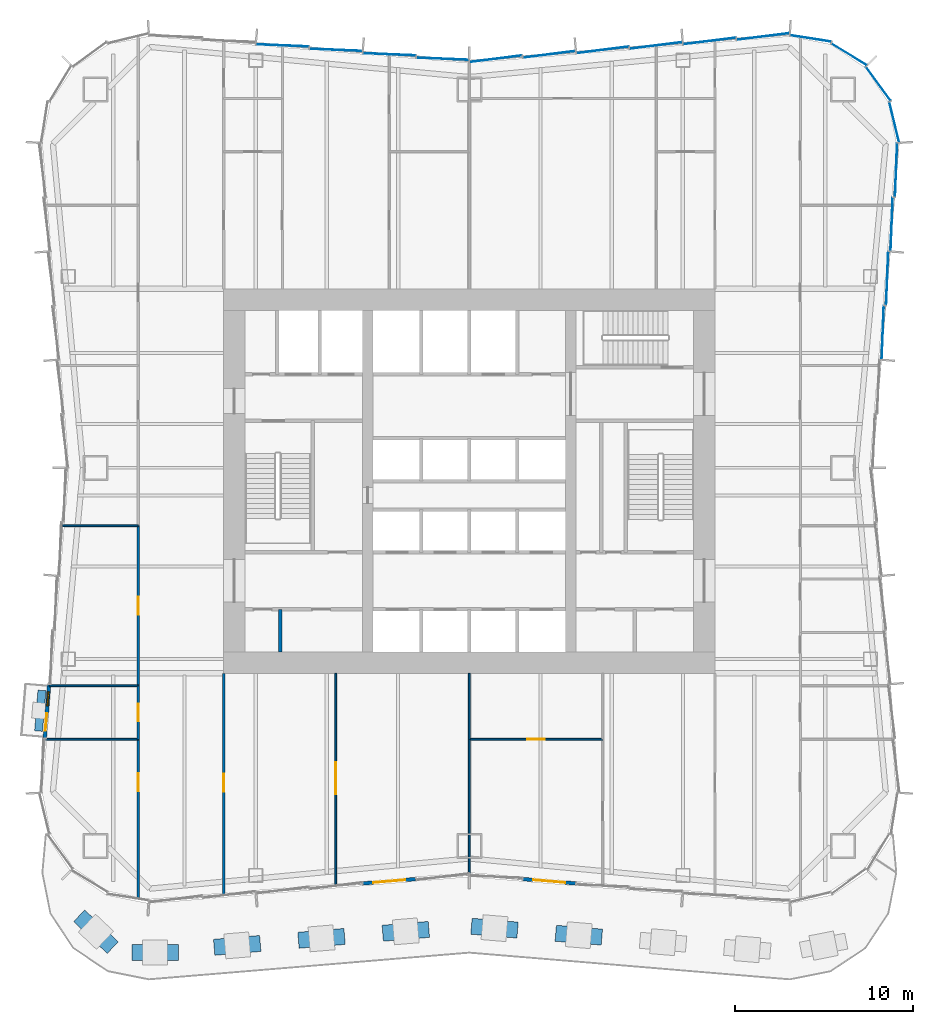
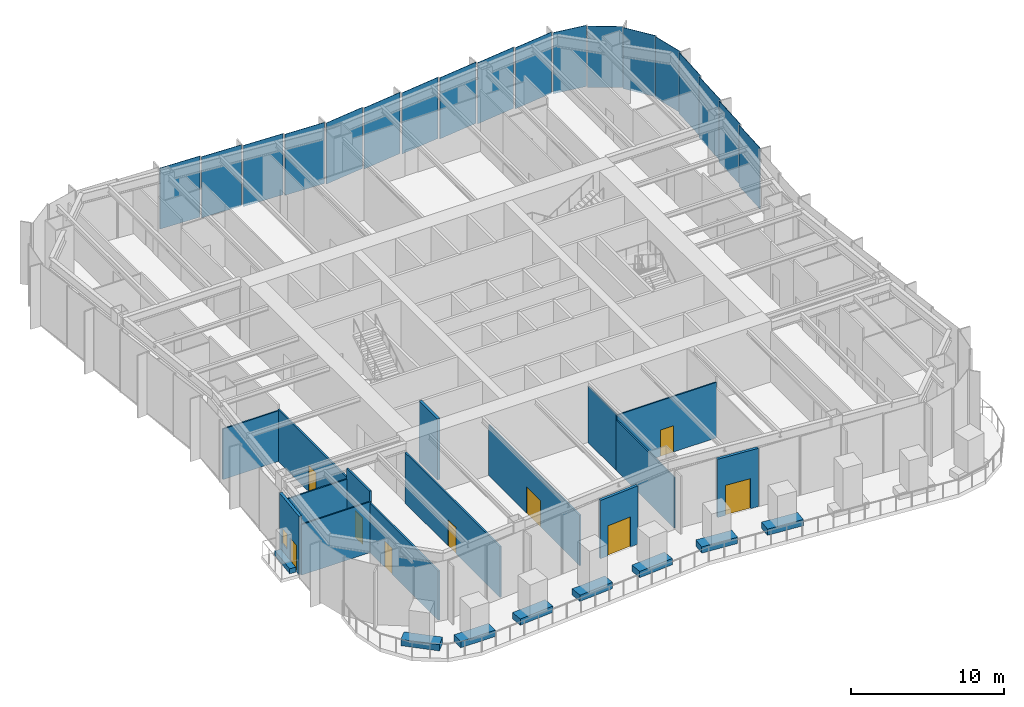
# One storey, part 8 of 15: 23 walls, 18 plates, 9 doors, 1 window, 10 openings, 3 elements without a shape of their own.
"""IFC4 building model written with IfcOpenShell, lengths in metres."""

from ifc_helpers import new_model, si_unit, direction, frame, frame_2d, origin, origin_2d, place, context, subcontext, project, spatial, rectangle, extrude, material, layer, layer_set, type_object, element, fill, aggregate, save


model = new_model("IFC4")

# Units and contexts
model_context = context("Model", 3, precision=1e-05, world=origin(), true_north=direction((0.0, 1.0)))
body_context = subcontext(model_context, "Body", "Model", "MODEL_VIEW")
ifc_project = project(units=[si_unit("LENGTHUNIT", "METRE"), si_unit("AREAUNIT", "SQUARE_METRE"), si_unit("VOLUMEUNIT", "CUBIC_METRE"), si_unit("PLANEANGLEUNIT", "RADIAN"), si_unit("MASSUNIT", "GRAM", prefix="KILO")], contexts=[model_context])

# Site, building, storey
site_placement = place(None, origin())
site = spatial("IfcSite", under=ifc_project, at=site_placement, CompositionType="ELEMENT")
building_placement = place(site_placement, origin())
building = spatial("IfcBuilding", under=site, at=building_placement, Name="Verdant Reach Tower", CompositionType="ELEMENT")
storey_placement = place(building_placement, frame((0.0, 0.0, 65.0)))
storey = spatial("IfcBuildingStorey", under=building, at=storey_placement, Name="L14", CompositionType="ELEMENT", Elevation=65.0)

# Curtain wall, plates
ifc_material_1 = material(Name="Anodised aluminium", Category="aluminium")
curtain_wall_type = type_object("IfcCurtainWallType", Name="EN-CW SYSTEM Z1", PredefinedType="NOTDEFINED", material=ifc_material_1)
curtain_wall_1_placement = place(storey_placement, origin())
curtain_wall_1 = element("IfcCurtainWall", 1, at=curtain_wall_1_placement, inside=storey, type_object=curtain_wall_type, Name="Curtain wall north, L14", PredefinedType="NOTDEFINED")
ifc_material_2 = material(Name="Tinted glass with champagne spandrel", Category="glass")
ifc_layer_1 = layer(ifc_material_2, 0.031982421875)
ifc_layer_set_1 = layer_set([ifc_layer_1], Name="EN-PANEL CHAMPAGNE")
plate_type_1 = type_object("IfcPlateType", Name="EN-PANEL CHAMPAGNE", PredefinedType="CURTAIN_PANEL", material=ifc_layer_set_1)
plate_1_placement = place(storey_placement, frame((7.491455078125, 52.2275390625, -0.22802734375), z_axis=(0.0, 0.0, 1.0), x_axis=(-0.992194034542, -0.124703639961, 0.0)))
plate_1 = element("IfcPlate", 2, at=plate_1_placement, type_object=plate_type_1, Name="Glass panel north face part 1 4.1, L14", PredefinedType="CURTAIN_PANEL", context=body_context, shape_type="SweptSolid", body=[
    extrude(rectangle(XDim=2.952392578125, YDim=0.031982421875, at=origin_2d()), origin(), (0.0, 0.0, 1.0), 4.8779296875),
])
plate_2_placement = place(storey_placement, frame((4.491455078125, 51.9775390625, -0.22802734375), z_axis=(0.0, 0.0, 1.0), x_axis=(-0.992194034542, -0.124703639961, 0.0)))
plate_2 = element("IfcPlate", 3, at=plate_2_placement, type_object=plate_type_1, Name="Glass panel north face part 1 5.1, L14", PredefinedType="CURTAIN_PANEL", context=body_context, shape_type="SweptSolid", body=[
    extrude(rectangle(XDim=2.952392578125, YDim=0.031982421875, at=origin_2d()), origin(), (0.0, 0.0, 1.0), 4.8779296875),
])
plate_3_placement = place(storey_placement, frame((1.49560546875, 51.727783203125, -0.22802734375), z_axis=(0.0, 0.0, 1.0), x_axis=(-0.992179247355, -0.124821236644, 0.0)))
plate_3 = element("IfcPlate", 4, at=plate_3_placement, type_object=plate_type_1, Name="Glass panel north face part 1 6.1, L14", PredefinedType="CURTAIN_PANEL", context=body_context, shape_type="SweptSolid", body=[
    extrude(rectangle(XDim=2.94384765625, YDim=0.031982421875, at=origin_2d()), origin(), (0.0, 0.0, 1.0), 4.8779296875),
])

curtain_wall_2_placement = place(storey_placement, origin())
curtain_wall_2 = element("IfcCurtainWall", 5, at=curtain_wall_2_placement, inside=storey, type_object=curtain_wall_type, Name="Curtain wall east, L14", PredefinedType="NOTDEFINED")
ifc_material_3 = material(Name="Tinted glass with copper spandrel", Category="glass")
ifc_layer_2 = layer(ifc_material_3, 0.031982421875)
ifc_layer_set_2 = layer_set([ifc_layer_2], Name="EN-PANEL COPPER")
plate_type_2 = type_object("IfcPlateType", Name="EN-PANEL COPPER", PredefinedType="CURTAIN_PANEL", material=ifc_layer_set_2)
plate_4_placement = place(storey_placement, frame((23.2275390625, 36.345703125, -0.22802734375), z_axis=(0.0, 0.0, 1.0), x_axis=(0.040108781752, 0.999195319057, 0.0)))
plate_4 = element("IfcPlate", 6, at=plate_4_placement, type_object=plate_type_2, Name="Glass panel east face part 2 3.1, L14", PredefinedType="CURTAIN_PANEL", context=body_context, shape_type="SweptSolid", body=[
    extrude(rectangle(XDim=2.993896484375, YDim=0.031982421875, at=origin_2d()), origin(), (0.0, 0.0, 1.0), 4.8779296875),
])
plate_5_placement = place(storey_placement, frame((23.4775390625, 39.387451171875, -0.22802734375), z_axis=(0.0, 0.0, 1.0), x_axis=(0.040108781752, 0.999195319057, 0.0)))
plate_5 = element("IfcPlate", 7, at=plate_5_placement, type_object=plate_type_2, Name="Glass panel east face part 2 4.1, L14", PredefinedType="CURTAIN_PANEL", context=body_context, shape_type="SweptSolid", body=[
    extrude(rectangle(XDim=2.993896484375, YDim=0.031982421875, at=origin_2d()), origin(), (0.0, 0.0, 1.0), 4.8779296875),
])

curtain_wall_3_placement = place(storey_placement, origin())
curtain_wall_3 = element("IfcCurtainWall", 8, at=curtain_wall_3_placement, inside=storey, type_object=curtain_wall_type, Name="Curtain wall north-east corner, L14", PredefinedType="NOTDEFINED")
plate_6_placement = place(storey_placement, frame((23.87060546875, 48.170654296875, -0.22802734375), z_axis=(0.0, 0.0, 1.0), x_axis=(-0.236383344544, 0.971659875894, 0.0)))
plate_6 = element("IfcPlate", 9, at=plate_6_placement, type_object=plate_type_2, Name="Glass panel north-east corner 1.1, L14", PredefinedType="CURTAIN_PANEL", context=body_context, shape_type="SweptSolid", body=[
    extrude(rectangle(XDim=2.3173828125, YDim=0.031982421875, at=origin_2d()), origin(), (0.0, 0.0, 1.0), 4.8779296875),
])
plate_7_placement = place(storey_placement, frame((22.97705078125, 50.325439453125, -0.22802734375), z_axis=(0.0, 0.0, 1.0), x_axis=(-0.589926768145, 0.807456753161, 0.0)))
plate_7 = element("IfcPlate", 10, at=plate_7_placement, type_object=plate_type_2, Name="Glass panel north-east corner 2.1, L14", PredefinedType="CURTAIN_PANEL", context=body_context, shape_type="SweptSolid", body=[
    extrude(rectangle(XDim=2.3232421875, YDim=0.031982421875, at=origin_2d()), origin(), (0.0, 0.0, 1.0), 4.8779296875),
])
plate_8_placement = place(storey_placement, frame((21.325439453125, 51.97705078125, -0.22802734375), z_axis=(0.0, 0.0, 1.0), x_axis=(-0.85398868836, 0.520291572248, 0.0)))
plate_8 = element("IfcPlate", 11, at=plate_8_placement, type_object=plate_type_2, Name="Glass panel north-east corner 3.1, L14", PredefinedType="CURTAIN_PANEL", context=body_context, shape_type="SweptSolid", body=[
    extrude(rectangle(XDim=2.3232421875, YDim=0.031982421875, at=origin_2d()), origin(), (0.0, 0.0, 1.0), 4.8779296875),
])

# Plate
plate_9_placement = place(storey_placement, frame((16.49853515625, 52.977783203125, -0.22802734375), z_axis=(0.0, 0.0, 1.0), x_axis=(-0.99223537376, -0.124374286167, 0.0)))
plate_9 = element("IfcPlate", 12, at=plate_9_placement, type_object=plate_type_2, Name="Glass panel north face part 1 1.1, L14", PredefinedType="CURTAIN_PANEL", context=body_context, shape_type="SweptSolid", body=[
    extrude(rectangle(XDim=2.966796875, YDim=0.031982421875, at=origin_2d()), origin(), (0.0, 0.0, 1.0), 4.8779296875),
])

plate_10_placement = place(storey_placement, frame((-1.49560546875, 51.727783203125, -0.22802734375), z_axis=(0.0, 0.0, 1.0), x_axis=(-0.99914430697, 0.041360051381, 0.0)))
plate_10 = element("IfcPlate", 13, at=plate_10_placement, type_object=plate_type_2, Name="Glass panel north face part 2 1.1, L14", PredefinedType="CURTAIN_PANEL", context=body_context, shape_type="SweptSolid", body=[
    extrude(rectangle(XDim=2.94384765625, YDim=0.031982421875, at=origin_2d()), origin(), (0.0, 0.0, 1.0), 4.8779296875),
])

plate_11_placement = place(storey_placement, frame((-4.491455078125, 51.9775390625, -0.22802734375), z_axis=(0.0, 0.0, 1.0), x_axis=(-0.999149202059, 0.041241629766, 0.0)))
plate_11 = element("IfcPlate", 14, at=plate_11_placement, type_object=plate_type_2, Name="Glass panel north face part 2 2.1, L14", PredefinedType="CURTAIN_PANEL", context=body_context, shape_type="SweptSolid", body=[
    extrude(rectangle(XDim=2.952392578125, YDim=0.031982421875, at=origin_2d()), origin(), (0.0, 0.0, 1.0), 4.8779296875),
])

ifc_material_4 = material(Name="Tinted glass with dark bronze spandrel", Category="glass")
ifc_layer_3 = layer(ifc_material_4, 0.031982421875)
ifc_layer_set_3 = layer_set([ifc_layer_3], Name="EN-PANEL DARK")
plate_type_3 = type_object("IfcPlateType", Name="EN-PANEL DARK", PredefinedType="CURTAIN_PANEL", material=ifc_layer_set_3)
plate_12_placement = place(storey_placement, frame((23.7275390625, 42.428955078125, -0.22802734375), z_axis=(0.0, 0.0, 1.0), x_axis=(0.040108781752, 0.999195319057, 0.0)))
plate_12 = element("IfcPlate", 15, at=plate_12_placement, type_object=plate_type_3, Name="Glass panel east face part 2 5.1, L14", PredefinedType="CURTAIN_PANEL", context=body_context, shape_type="SweptSolid", body=[
    extrude(rectangle(XDim=2.993896484375, YDim=0.031982421875, at=origin_2d()), origin(), (0.0, 0.0, 1.0), 4.8779296875),
])

plate_13_placement = place(storey_placement, frame((23.977783203125, 45.477783203125, -0.22802734375), z_axis=(0.0, 0.0, 1.0), x_axis=(0.039784239139, 0.999208293759, 0.0)))
plate_13 = element("IfcPlate", 16, at=plate_13_placement, type_object=plate_type_3, Name="Glass panel east face part 2 6.1, L14", PredefinedType="CURTAIN_PANEL", context=body_context, shape_type="SweptSolid", body=[
    extrude(rectangle(XDim=3.00830078125, YDim=0.031982421875, at=origin_2d()), origin(), (0.0, 0.0, 1.0), 4.8779296875),
])

aggregate(curtain_wall_2, [plate_4, plate_5, plate_12, plate_13])

plate_14_placement = place(storey_placement, frame((19.170654296875, 52.87060546875, -0.22802734375), z_axis=(0.0, 0.0, 1.0), x_axis=(-0.988032704995, 0.154244526195, 0.0)))
plate_14 = element("IfcPlate", 17, at=plate_14_placement, type_object=plate_type_3, Name="Glass panel north-east corner 4.1, L14", PredefinedType="CURTAIN_PANEL", context=body_context, shape_type="SweptSolid", body=[
    extrude(rectangle(XDim=2.317626953125, YDim=0.031982421875, at=origin_2d()), origin(), (0.0, 0.0, 1.0), 4.8779296875),
])

aggregate(curtain_wall_3, [plate_6, plate_7, plate_8, plate_14])

plate_15_placement = place(storey_placement, frame((13.491455078125, 52.7275390625, -0.22802734375), z_axis=(0.0, 0.0, 1.0), x_axis=(-0.992194034542, -0.124703639961, 0.0)))
plate_15 = element("IfcPlate", 18, at=plate_15_placement, type_object=plate_type_3, Name="Glass panel north face part 1 2.1, L14", PredefinedType="CURTAIN_PANEL", context=body_context, shape_type="SweptSolid", body=[
    extrude(rectangle(XDim=2.952392578125, YDim=0.031982421875, at=origin_2d()), origin(), (0.0, 0.0, 1.0), 4.8779296875),
])

plate_16_placement = place(storey_placement, frame((10.491455078125, 52.4775390625, -0.22802734375), z_axis=(0.0, 0.0, 1.0), x_axis=(-0.992194034542, -0.124703639961, 0.0)))
plate_16 = element("IfcPlate", 19, at=plate_16_placement, type_object=plate_type_3, Name="Glass panel north face part 1 3.1, L14", PredefinedType="CURTAIN_PANEL", context=body_context, shape_type="SweptSolid", body=[
    extrude(rectangle(XDim=2.952392578125, YDim=0.031982421875, at=origin_2d()), origin(), (0.0, 0.0, 1.0), 4.8779296875),
])

plate_17_placement = place(storey_placement, frame((-7.491455078125, 52.2275390625, -0.22802734375), z_axis=(0.0, 0.0, 1.0), x_axis=(-0.999149202059, 0.041241629766, 0.0)))
plate_17 = element("IfcPlate", 20, at=plate_17_placement, type_object=plate_type_3, Name="Glass panel north face part 2 3.1, L14", PredefinedType="CURTAIN_PANEL", context=body_context, shape_type="SweptSolid", body=[
    extrude(rectangle(XDim=2.952392578125, YDim=0.031982421875, at=origin_2d()), origin(), (0.0, 0.0, 1.0), 4.8779296875),
])

plate_18_placement = place(storey_placement, frame((-10.491455078125, 52.4775390625, -0.22802734375), z_axis=(0.0, 0.0, 1.0), x_axis=(-0.999149202059, 0.041241629766, 0.0)))
plate_18 = element("IfcPlate", 21, at=plate_18_placement, type_object=plate_type_3, Name="Glass panel north face part 2 4.1, L14", PredefinedType="CURTAIN_PANEL", context=body_context, shape_type="SweptSolid", body=[
    extrude(rectangle(XDim=2.952392578125, YDim=0.031982421875, at=origin_2d()), origin(), (0.0, 0.0, 1.0), 4.8779296875),
])

aggregate(curtain_wall_1, [plate_9, plate_15, plate_16, plate_1, plate_2, plate_3, plate_10, plate_11, plate_17, plate_18])

# Wall
ifc_material_5 = material(Name="Gypsum board on steel studs", Category="steel")
ifc_layer_4 = layer(ifc_material_5, 0.199951171875)
ifc_layer_set_4 = layer_set([ifc_layer_4], Name="CO-WALL-ROOM")
wall_type_1 = type_object("IfcWallType", Name="CO-WALL-ROOM", PredefinedType="PARTITIONING", material=ifc_layer_set_4)
wall_1_placement = place(storey_placement, frame((-10.6201171875, 18.39990234375, 0.0), z_axis=(0.0, 0.0, 1.0), x_axis=(0.0, 1.0, 0.0)))
element("IfcWall", 22, at=wall_1_placement, inside=storey, type_object=wall_type_1, Name="Core partition, L14", PredefinedType="PARTITIONING", context=body_context, shape_type="SweptSolid", body=[
    extrude(rectangle(XDim=2.400146484375, YDim=0.199951171875, at=frame_2d((1.2001953125, 0.0))), origin(), (0.0, 0.0, 1.0), 4.8701171875),
])

# Wall, openings, door, window
ifc_material_6 = material(Name="Insulated bronze aluminium panel wall", Category="aluminium")
ifc_layer_5 = layer(ifc_material_6, 0.219970703125)
ifc_layer_set_5 = layer_set([ifc_layer_5], Name="EN-INFILL WALL")
wall_type_2 = type_object("IfcWallType", Name="EN-INFILL WALL", PredefinedType="SOLIDWALL", material=ifc_layer_set_5)
wall_2_placement = place(storey_placement, frame((-23.605224609375, 16.560791015625, 0.0), z_axis=(0.0, 0.0, 1.0), x_axis=(-0.081903334605, -0.996640278024, 0.0)))
wall_2 = element("IfcWall", 23, at=wall_2_placement, inside=storey, type_object=wall_type_2, Name="External infill wall, balcony bay 1, L14", PredefinedType="SOLIDWALL", context=body_context, shape_type="SweptSolid", body=[
    extrude(rectangle(XDim=2.98974609375, YDim=0.2060546875, at=frame_2d((1.494873046875, 0.0))), origin(), (0.0, 0.0, 1.0), 4.64990234375),
])
opening_1_placement = place(wall_2_placement, frame((1.59326171875, 0.0, 0.0)))
opening_1 = element("IfcOpeningElement", 24, at=opening_1_placement, cuts=wall_2, Name="Opening BD1", PredefinedType="OPENING", context=body_context, shape_type="SweptSolid", body=[
    extrude(rectangle(XDim=1.0, YDim=2.10009765625, at=frame_2d((0.5, 1.050048828125))), frame((0.0, 0.113037109375, 0.0), z_axis=(0.0, -1.0, 0.0), x_axis=(1.0, 0.0, 0.0)), (0.0, 0.0, 1.0), 0.22607421875),
])
opening_2_placement = place(wall_2_placement, frame((0.396484375, 0.0, 0.89990234375)))
opening_2 = element("IfcOpeningElement", 25, at=opening_2_placement, cuts=wall_2, Name="Opening BW1", PredefinedType="OPENING", context=body_context, shape_type="SweptSolid", body=[
    extrude(rectangle(XDim=0.800048828125, YDim=1.199951171875, at=frame_2d((0.39990234375, 0.60009765625))), frame((0.0, 0.113037109375, 0.0), z_axis=(0.0, -1.0, 0.0), x_axis=(1.0, 0.0, 0.0)), (0.0, 0.0, 1.0), 0.22607421875),
])
ifc_material_7 = material(Name="Aluminium framed glazed door", Category="aluminium")
door_type_1 = type_object("IfcDoorType", Name="EN-DOOR BALCONY", OperationType="NOTDEFINED", PredefinedType="DOOR", material=ifc_material_7)
door_1_placement = place(opening_1_placement, origin())
door_1 = element("IfcDoor", 26, at=door_1_placement, inside=storey, type_object=door_type_1, Name="Balcony door 1, L14", OperationType="SINGLE_SWING_RIGHT", OverallHeight=2.10009765625, OverallWidth=1.0, PredefinedType="DOOR", context=body_context, shape_type="SweptSolid", body=[
    extrude(rectangle(XDim=1.0, YDim=2.10009765625, at=frame_2d((0.5, 1.050048828125))), frame((0.0, 0.02490234375, 0.0), z_axis=(0.0, -1.0, 0.0), x_axis=(1.0, 0.0, 0.0)), (0.0, 0.0, 1.0), 0.050048828125),
])
fill(opening_1, door_1)
ifc_material_8 = material(Name="Aluminium framed glazing", Category="aluminium")
window_type = type_object("IfcWindowType", Name="EN-WINDOW BALCONY", PartitioningType="SINGLE_PANEL", PredefinedType="WINDOW", material=ifc_material_8)
window_placement = place(opening_2_placement, origin())
window = element("IfcWindow", 27, at=window_placement, inside=storey, type_object=window_type, Name="Balcony window 1, L14", OverallHeight=1.199951171875, OverallWidth=0.800048828125, PartitioningType="SINGLE_PANEL", PredefinedType="WINDOW", context=body_context, shape_type="SweptSolid", body=[
    extrude(rectangle(XDim=0.800048828125, YDim=1.199951171875, at=frame_2d((0.39990234375, 0.60009765625))), frame((0.0, 0.030029296875, 0.0), z_axis=(0.0, -1.0, 0.0), x_axis=(1.0, 0.0, 0.0)), (0.0, 0.0, 1.0), 0.06005859375),
])
fill(opening_2, window)

# Wall, opening, door
wall_3_placement = place(storey_placement, frame((-5.96044921875, 5.39990234375, 0.0), z_axis=(0.0, 0.0, 1.0), x_axis=(0.996544615933, 0.083059186453, 0.0)))
wall_3 = element("IfcWall", 28, at=wall_3_placement, inside=storey, type_object=wall_type_2, Name="External infill wall, terrace bay 1, L14", PredefinedType="SOLIDWALL", context=body_context, shape_type="SweptSolid", body=[
    extrude(rectangle(XDim=2.9482421875, YDim=0.2060546875, at=frame_2d((1.47412109375, 0.0))), origin(), (0.0, 0.0, 1.0), 4.64990234375),
])
opening_3_placement = place(wall_3_placement, frame((0.57421875, 0.0, 0.0)))
opening_3 = element("IfcOpeningElement", 29, at=opening_3_placement, cuts=wall_3, Name="Opening TD1-DR", PredefinedType="OPENING", context=body_context, shape_type="SweptSolid", body=[
    extrude(rectangle(XDim=1.800048828125, YDim=2.39990234375, at=frame_2d((0.89990234375, 1.199951171875))), frame((0.0, 0.113037109375, 0.0), z_axis=(0.0, -1.0, 0.0), x_axis=(1.0, 0.0, 0.0)), (0.0, 0.0, 1.0), 0.22607421875),
])
door_type_2 = type_object("IfcDoorType", Name="EN-DOOR TERRACE", OperationType="DOUBLE_DOOR_SINGLE_SWING", PredefinedType="DOOR", material=ifc_material_7)
door_2_placement = place(opening_3_placement, origin())
door_2 = element("IfcDoor", 30, at=door_2_placement, inside=storey, type_object=door_type_2, Name="Terrace door 1, L14", OperationType="DOUBLE_DOOR_SINGLE_SWING", OverallHeight=2.39990234375, OverallWidth=1.800048828125, PredefinedType="DOOR", context=body_context, shape_type="SweptSolid", body=[
    extrude(rectangle(XDim=1.800048828125, YDim=2.39990234375, at=frame_2d((0.89990234375, 1.199951171875))), frame((0.0, 0.02490234375, 0.0), z_axis=(0.0, -1.0, 0.0), x_axis=(1.0, 0.0, 0.0)), (0.0, 0.0, 1.0), 0.050048828125),
])
fill(opening_3, door_2)

wall_4_placement = place(storey_placement, frame((3.0224609375, 5.644775390625, 0.0), z_axis=(0.0, 0.0, 1.0), x_axis=(0.996544615933, -0.083059186453, 0.0)))
wall_4 = element("IfcWall", 31, at=wall_4_placement, inside=storey, type_object=wall_type_2, Name="External infill wall, terrace bay 2, L14", PredefinedType="SOLIDWALL", context=body_context, shape_type="SweptSolid", body=[
    extrude(rectangle(XDim=2.9482421875, YDim=0.2060546875, at=frame_2d((1.47412109375, 0.0))), origin(), (0.0, 0.0, 1.0), 4.64990234375),
])
opening_4_placement = place(wall_4_placement, frame((0.57421875, 0.0, 0.0)))
opening_4 = element("IfcOpeningElement", 32, at=opening_4_placement, cuts=wall_4, Name="Opening TD1-DR", PredefinedType="OPENING", context=body_context, shape_type="SweptSolid", body=[
    extrude(rectangle(XDim=1.800048828125, YDim=2.39990234375, at=frame_2d((0.89990234375, 1.199951171875))), frame((0.0, 0.113037109375, 0.0), z_axis=(0.0, -1.0, 0.0), x_axis=(1.0, 0.0, 0.0)), (0.0, 0.0, 1.0), 0.22607421875),
])
door_3_placement = place(opening_4_placement, origin())
door_3 = element("IfcDoor", 33, at=door_3_placement, inside=storey, type_object=door_type_2, Name="Terrace door 2, L14", OperationType="DOUBLE_DOOR_SINGLE_SWING", OverallHeight=2.39990234375, OverallWidth=1.800048828125, PredefinedType="DOOR", context=body_context, shape_type="SweptSolid", body=[
    extrude(rectangle(XDim=1.800048828125, YDim=2.39990234375, at=frame_2d((0.89990234375, 1.199951171875))), frame((0.0, 0.02490234375, 0.0), z_axis=(0.0, -1.0, 0.0), x_axis=(1.0, 0.0, 0.0)), (0.0, 0.0, 1.0), 0.050048828125),
])
fill(opening_4, door_3)

# Walls
ifc_material_9 = material(Name="Precast concrete C30/37", Category="concrete")
ifc_layer_6 = layer(ifc_material_9, 0.449951171875)
ifc_layer_set_6 = layer_set([ifc_layer_6], Name="EN-PLANTER")
wall_type_3 = type_object("IfcWallType", Name="EN-PLANTER", PredefinedType="USERDEFINED", material=ifc_layer_set_6)
wall_5_placement = place(storey_placement, frame((-24.010498046875, 16.242919921875, 0.0), z_axis=(0.0, 0.0, 1.0), x_axis=(-0.081986639556, -0.996633428566, 0.0)))
element("IfcWall", 34, at=wall_5_placement, inside=storey, type_object=wall_type_3, Name="Balcony planter 1, L14", ObjectType="PLANTER", PredefinedType="USERDEFINED", context=body_context, shape_type="SweptSolid", body=[
    extrude(rectangle(XDim=2.2900390625, YDim=0.449951171875, at=frame_2d((1.14501953125, 0.0))), origin(), (0.0, 0.0, 1.0), 0.39990234375),
])
ifc_layer_7 = layer(ifc_material_9, 0.89990234375)
ifc_layer_set_7 = layer_set([ifc_layer_7], Name="EN-PLANTER TERRACE")
wall_type_4 = type_object("IfcWallType", Name="EN-PLANTER TERRACE", PredefinedType="USERDEFINED", material=ifc_layer_set_7)
for number, where, z_axis, x_axis, name in (
    (35, (7.4453125, 2.384765625, 0.0), (0.0, 0.0, 1.0), (-0.99654899538, 0.083006625075, 0.0), "Terrace planter 4, L14"),
    (36, (2.71044921875, 2.779296875, 0.0), (0.0, 0.0, 1.0), (-0.996541223745, 0.083099875908, 0.0), "Terrace planter 5, L14"),
    (37, (-2.2734375, 2.815673828125, 0.0), (0.0, 0.0, 1.0), (-0.99654899538, -0.083006625075, 0.0), "Terrace planter 6, L14"),
    (38, (-7.00830078125, 2.421142578125, 0.0), (0.0, 0.0, 1.0), (-0.99654899538, -0.083006625075, 0.0), "Terrace planter 7, L14"),
    (39, (-11.7431640625, 2.026611328125, 0.0), (0.0, 0.0, 1.0), (-0.99654899538, -0.083006625075, 0.0), "Terrace planter 8, L14"),
):
    element("IfcWall", number, at=place(storey_placement, frame(where, z_axis=z_axis, x_axis=x_axis)), inside=storey, type_object=wall_type_4, Name=name, ObjectType="PLANTER", PredefinedType="USERDEFINED", context=body_context, shape_type="SweptSolid", body=[
        extrude(rectangle(XDim=2.60009765625, YDim=0.89990234375, at=frame_2d((1.300048828125, 0.0))), origin(), (0.0, 0.0, 1.0), 0.5),
    ])
for number, where, z_axis, x_axis, name in (
    (40, (-16.350341796875, 1.530517578125, 0.0), (0.0, 0.0, 1.0), (-0.999999559088, -0.000939054896, 0.0), "Terrace planter 9, L14"),
    (41, (-20.03173828125, 1.793701171875, 0.0), (0.0, 0.0, 1.0), (-0.725500966542, 0.688221147267, 0.0), "Terrace planter 10, L14"),
):
    element("IfcWall", number, at=place(storey_placement, frame(where, z_axis=z_axis, x_axis=x_axis)), inside=storey, type_object=wall_type_4, Name=name, ObjectType="PLANTER", PredefinedType="USERDEFINED", context=body_context, shape_type="SweptSolid", body=[
        extrude(rectangle(XDim=2.599853515625, YDim=0.89990234375, at=frame_2d((1.2998046875, 0.0))), origin(), (0.0, 0.0, 1.0), 0.5),
    ])
ifc_layer_8 = layer(ifc_material_5, 0.10009765625)
ifc_layer_set_8 = layer_set([ifc_layer_8], Name="FL-W1 Partition 100")
wall_type_5 = type_object("IfcWallType", Name="FL-W1 Partition 100", PredefinedType="PARTITIONING", material=ifc_layer_set_8)
wall_6_placement = place(storey_placement, frame((-18.60009765625, 13.5, 0.0), z_axis=(0.0, 0.0, 1.0), x_axis=(-1.0, 0.0, 0.0)))
element("IfcWall", 42, at=wall_6_placement, inside=storey, type_object=wall_type_5, Name="Partition 14.23", PredefinedType="PARTITIONING", context=body_context, shape_type="SweptSolid", body=[
    extrude(rectangle(XDim=5.2333984375, YDim=0.10009765625, at=frame_2d((2.61669921875, 0.0))), origin(), (0.0, 0.0, 1.0), 4.0400390625),
])
wall_7_placement = place(storey_placement, frame((-18.60009765625, 16.5, 0.0), z_axis=(0.0, 0.0, 1.0), x_axis=(-1.0, 0.0, 0.0)))
element("IfcWall", 43, at=wall_7_placement, inside=storey, type_object=wall_type_5, Name="Partition 14.24", PredefinedType="PARTITIONING", context=body_context, shape_type="SweptSolid", body=[
    extrude(rectangle(XDim=4.98681640625, YDim=0.10009765625, at=frame_2d((2.493408203125, 0.0))), origin(), (0.0, 0.0, 1.0), 4.0400390625),
])
wall_8_placement = place(storey_placement, frame((-18.60009765625, 25.5, 0.0), z_axis=(0.0, 0.0, 1.0), x_axis=(-1.0, 0.0, 0.0)))
element("IfcWall", 44, at=wall_8_placement, inside=storey, type_object=wall_type_5, Name="Partition 14.25", PredefinedType="PARTITIONING", context=body_context, shape_type="SweptSolid", body=[
    extrude(rectangle(XDim=4.2470703125, YDim=0.10009765625, at=frame_2d((2.12353515625, 0.0))), origin(), (0.0, 0.0, 1.0), 4.0400390625),
])

# Wall, opening, door
wall_9_placement = place(storey_placement, frame((-7.5, 17.199951171875, 0.0), z_axis=(0.0, 0.0, 1.0), x_axis=(0.0, -1.0, 0.0)))
wall_9 = element("IfcWall", 45, at=wall_9_placement, inside=storey, type_object=wall_type_5, Name="Partition 14.35", PredefinedType="PARTITIONING", context=body_context, shape_type="SweptSolid", body=[
    extrude(rectangle(XDim=11.905029296875, YDim=0.10009765625, at=frame_2d((5.95263671875, 0.0))), origin(), (0.0, 0.0, 1.0), 4.0400390625),
])
opening_5_placement = place(wall_9_placement, frame((4.9873046875, 0.0, 0.0)))
opening_5 = element("IfcOpeningElement", 46, at=opening_5_placement, cuts=wall_9, Name="Opening D5", PredefinedType="OPENING", context=body_context, shape_type="SweptSolid", body=[
    extrude(rectangle(XDim=1.800048828125, YDim=2.10009765625, at=frame_2d((0.89990234375, 1.050048828125))), frame((0.0, 0.06005859375, 0.0), z_axis=(0.0, -1.0, 0.0), x_axis=(1.0, 0.0, 0.0)), (0.0, 0.0, 1.0), 0.1201171875),
])
ifc_material_10 = material(Name="Painted timber door leaves", Category="wood")
door_type_3 = type_object("IfcDoorType", Name="FL-D5 Double door 1800x2100", OperationType="DOUBLE_DOOR_SINGLE_SWING", PredefinedType="DOOR", material=ifc_material_10)
door_4_placement = place(opening_5_placement, origin())
door_4 = element("IfcDoor", 47, at=door_4_placement, inside=storey, type_object=door_type_3, Name="Door 14-021", OperationType="DOUBLE_DOOR_SINGLE_SWING", OverallHeight=2.10009765625, OverallWidth=1.800048828125, PredefinedType="DOOR", context=body_context, shape_type="SweptSolid", body=[
    extrude(rectangle(XDim=1.800048828125, YDim=2.10009765625, at=frame_2d((0.89990234375, 1.050048828125))), frame((0.0, 0.02490234375, 0.0), z_axis=(0.0, -1.0, 0.0), x_axis=(1.0, 0.0, 0.0)), (0.0, 0.0, 1.0), 0.050048828125),
])
fill(opening_5, door_4)

# Walls
wall_10_placement = place(storey_placement, frame((0.0, 5.919921875, 0.0), z_axis=(0.0, 0.0, 1.0), x_axis=(0.0, 1.0, 0.0)))
element("IfcWall", 48, at=wall_10_placement, inside=storey, type_object=wall_type_5, Name="Partition 14.36", PredefinedType="PARTITIONING", context=body_context, shape_type="SweptSolid", body=[
    extrude(rectangle(XDim=7.580078125, YDim=0.10009765625, at=frame_2d((3.7900390625, 0.0))), origin(), (0.0, 0.0, 1.0), 4.0400390625),
])
wall_11_placement = place(storey_placement, frame((0.0, 13.5, 0.0), z_axis=(0.0, 0.0, 1.0), x_axis=(0.0, 1.0, 0.0)))
element("IfcWall", 49, at=wall_11_placement, inside=storey, type_object=wall_type_5, Name="Partition 14.37", PredefinedType="PARTITIONING", context=body_context, shape_type="SweptSolid", body=[
    extrude(rectangle(XDim=3.699951171875, YDim=0.10009765625, at=frame_2d((1.85009765625, 0.0))), origin(), (0.0, 0.0, 1.0), 4.47998046875),
])

# Wall, opening, door
wall_12_placement = place(storey_placement, frame((0.0, 13.5, 0.0), z_axis=(0.0, 0.0, 1.0), x_axis=(1.0, 0.0, 0.0)))
wall_12 = element("IfcWall", 50, at=wall_12_placement, inside=storey, type_object=wall_type_5, Name="Partition 14.40", PredefinedType="PARTITIONING", context=body_context, shape_type="SweptSolid", body=[
    extrude(rectangle(XDim=7.5, YDim=0.10009765625, at=frame_2d((3.75, 0.0))), origin(), (0.0, 0.0, 1.0), 4.43994140625),
])
opening_6_placement = place(wall_12_placement, frame((3.25, 0.0, 0.0)))
opening_6 = element("IfcOpeningElement", 51, at=opening_6_placement, cuts=wall_12, Name="Opening D3", PredefinedType="OPENING", context=body_context, shape_type="SweptSolid", body=[
    extrude(rectangle(XDim=1.0, YDim=2.10009765625, at=frame_2d((0.5, 1.050048828125))), frame((0.0, 0.06005859375, 0.0), z_axis=(0.0, -1.0, 0.0), x_axis=(1.0, 0.0, 0.0)), (0.0, 0.0, 1.0), 0.1201171875),
])
ifc_material_11 = material(Name="Painted timber door leaf", Category="wood")
door_type_4 = type_object("IfcDoorType", Name="FL-D3 Door 1000x2100", OperationType="NOTDEFINED", PredefinedType="DOOR", material=ifc_material_11)
door_5_placement = place(opening_6_placement, origin())
door_5 = element("IfcDoor", 52, at=door_5_placement, inside=storey, type_object=door_type_4, Name="Door 14-023", OperationType="SINGLE_SWING_LEFT", OverallHeight=2.10009765625, OverallWidth=1.0, PredefinedType="DOOR", context=body_context, shape_type="SweptSolid", body=[
    extrude(rectangle(XDim=1.0, YDim=2.10009765625, at=frame_2d((0.5, 1.050048828125))), frame((0.0, 0.02490234375, 0.0), z_axis=(0.0, -1.0, 0.0), x_axis=(1.0, 0.0, 0.0)), (0.0, 0.0, 1.0), 0.050048828125),
])
fill(opening_6, door_5)

ifc_material_12 = material(Name="Gypsum board on steel studs, fire rated", Category="steel")
ifc_layer_9 = layer(ifc_material_12, 0.125)
ifc_layer_set_9 = layer_set([ifc_layer_9], Name="FL-W2 Corridor wall 125")
wall_type_6 = type_object("IfcWallType", Name="FL-W2 Corridor wall 125", PredefinedType="PARTITIONING", material=ifc_layer_set_9)
wall_13_placement = place(storey_placement, frame((-18.60009765625, 4.539306640625, 0.0), z_axis=(0.0, 0.0, 1.0), x_axis=(0.0, 1.0, 0.0)))
wall_13 = element("IfcWall", 53, at=wall_13_placement, inside=storey, type_object=wall_type_6, Name="Partition 14.01", PredefinedType="PARTITIONING", context=body_context, shape_type="SweptSolid", body=[
    extrude(rectangle(XDim=8.960693359375, YDim=0.125, at=frame_2d((4.48046875, 0.0))), origin(), (0.0, 0.0, 1.0), 3.929931640625),
])
opening_7_placement = place(wall_13_placement, frame((6.0458984375, 0.0, 0.0)))
opening_7 = element("IfcOpeningElement", 54, at=opening_7_placement, cuts=wall_13, Name="Opening D2", PredefinedType="OPENING", context=body_context, shape_type="SweptSolid", body=[
    extrude(rectangle(XDim=1.0, YDim=2.10009765625, at=frame_2d((0.5, 1.050048828125))), frame((0.0, 0.072509765625, 0.0), z_axis=(0.0, -1.0, 0.0), x_axis=(1.0, 0.0, 0.0)), (0.0, 0.0, 1.0), 0.14501953125),
])
ifc_material_13 = material(Name="Timber door leaf, fire rated", Category="wood")
door_type_5 = type_object("IfcDoorType", Name="FL-D2 Entrance door 1000x2100 FD30", OperationType="NOTDEFINED", PredefinedType="DOOR", material=ifc_material_13)
door_6_placement = place(opening_7_placement, origin())
door_6 = element("IfcDoor", 55, at=door_6_placement, inside=storey, type_object=door_type_5, Name="Door 14-001", OperationType="SINGLE_SWING_RIGHT", OverallHeight=2.10009765625, OverallWidth=1.0, PredefinedType="DOOR", context=body_context, shape_type="SweptSolid", body=[
    extrude(rectangle(XDim=1.0, YDim=2.10009765625, at=frame_2d((0.5, 1.050048828125))), frame((0.0, 0.02490234375, 0.0), z_axis=(0.0, -1.0, 0.0), x_axis=(1.0, 0.0, 0.0)), (0.0, 0.0, 1.0), 0.050048828125),
])
fill(opening_7, door_6)

wall_14_placement = place(storey_placement, frame((-18.60009765625, 13.5, 0.0), z_axis=(0.0, 0.0, 1.0), x_axis=(0.0, 1.0, 0.0)))
wall_14 = element("IfcWall", 56, at=wall_14_placement, inside=storey, type_object=wall_type_6, Name="Partition 14.02", PredefinedType="PARTITIONING", context=body_context, shape_type="SweptSolid", body=[
    extrude(rectangle(XDim=3.0, YDim=0.125, at=frame_2d((1.5, 0.0))), origin(), (0.0, 0.0, 1.0), 4.8701171875),
])
opening_8_placement = place(wall_14_placement, frame((1.0, 0.0, 0.0)))
opening_8 = element("IfcOpeningElement", 57, at=opening_8_placement, cuts=wall_14, Name="Opening D2", PredefinedType="OPENING", context=body_context, shape_type="SweptSolid", body=[
    extrude(rectangle(XDim=1.0, YDim=2.10009765625, at=frame_2d((0.5, 1.050048828125))), frame((0.0, 0.072509765625, 0.0), z_axis=(0.0, -1.0, 0.0), x_axis=(1.0, 0.0, 0.0)), (0.0, 0.0, 1.0), 0.14501953125),
])
door_7_placement = place(opening_8_placement, origin())
door_7 = element("IfcDoor", 58, at=door_7_placement, inside=storey, type_object=door_type_5, Name="Door 14-002", OperationType="SINGLE_SWING_RIGHT", OverallHeight=2.10009765625, OverallWidth=1.0, PredefinedType="DOOR", context=body_context, shape_type="SweptSolid", body=[
    extrude(rectangle(XDim=1.0, YDim=2.10009765625, at=frame_2d((0.5, 1.050048828125))), frame((0.0, 0.02490234375, 0.0), z_axis=(0.0, -1.0, 0.0), x_axis=(1.0, 0.0, 0.0)), (0.0, 0.0, 1.0), 0.050048828125),
])
fill(opening_8, door_7)

wall_15_placement = place(storey_placement, frame((-18.60009765625, 16.5, 0.0), z_axis=(0.0, 0.0, 1.0), x_axis=(0.0, 1.0, 0.0)))
wall_15 = element("IfcWall", 59, at=wall_15_placement, inside=storey, type_object=wall_type_6, Name="Partition 14.03", PredefinedType="PARTITIONING", context=body_context, shape_type="SweptSolid", body=[
    extrude(rectangle(XDim=9.0, YDim=0.125, at=frame_2d((4.5, 0.0))), origin(), (0.0, 0.0, 1.0), 4.139892578125),
])
opening_9_placement = place(wall_15_placement, frame((4.0, 0.0, 0.0)))
opening_9 = element("IfcOpeningElement", 60, at=opening_9_placement, cuts=wall_15, Name="Opening D2", PredefinedType="OPENING", context=body_context, shape_type="SweptSolid", body=[
    extrude(rectangle(XDim=1.0, YDim=2.10009765625, at=frame_2d((0.5, 1.050048828125))), frame((0.0, 0.072509765625, 0.0), z_axis=(0.0, -1.0, 0.0), x_axis=(1.0, 0.0, 0.0)), (0.0, 0.0, 1.0), 0.14501953125),
])
door_8_placement = place(opening_9_placement, origin())
door_8 = element("IfcDoor", 61, at=door_8_placement, inside=storey, type_object=door_type_5, Name="Door 14-003", OperationType="SINGLE_SWING_LEFT", OverallHeight=2.10009765625, OverallWidth=1.0, PredefinedType="DOOR", context=body_context, shape_type="SweptSolid", body=[
    extrude(rectangle(XDim=1.0, YDim=2.10009765625, at=frame_2d((0.5, 1.050048828125))), frame((0.0, 0.02490234375, 0.0), z_axis=(0.0, -1.0, 0.0), x_axis=(1.0, 0.0, 0.0)), (0.0, 0.0, 1.0), 0.050048828125),
])
fill(opening_9, door_8)

wall_16_placement = place(storey_placement, frame((-13.800048828125, 4.77001953125, 0.0), z_axis=(0.0, 0.0, 1.0), x_axis=(0.0, 1.0, 0.0)))
wall_16 = element("IfcWall", 62, at=wall_16_placement, inside=storey, type_object=wall_type_6, Name="Partition 14.07", PredefinedType="PARTITIONING", context=body_context, shape_type="SweptSolid", body=[
    extrude(rectangle(XDim=12.429931640625, YDim=0.125, at=frame_2d((6.21484375, 0.0))), origin(), (0.0, 0.0, 1.0), 4.0400390625),
])
opening_10_placement = place(wall_16_placement, frame((5.780029296875, 0.0, 0.0)))
opening_10 = element("IfcOpeningElement", 63, at=opening_10_placement, cuts=wall_16, Name="Opening D2", PredefinedType="OPENING", context=body_context, shape_type="SweptSolid", body=[
    extrude(rectangle(XDim=1.0, YDim=2.10009765625, at=frame_2d((0.5, 1.050048828125))), frame((0.0, 0.072509765625, 0.0), z_axis=(0.0, -1.0, 0.0), x_axis=(1.0, 0.0, 0.0)), (0.0, 0.0, 1.0), 0.14501953125),
])
door_9_placement = place(opening_10_placement, origin())
door_9 = element("IfcDoor", 64, at=door_9_placement, inside=storey, type_object=door_type_5, Name="Door 14-007", OperationType="SINGLE_SWING_RIGHT", OverallHeight=2.10009765625, OverallWidth=1.0, PredefinedType="DOOR", context=body_context, shape_type="SweptSolid", body=[
    extrude(rectangle(XDim=1.0, YDim=2.10009765625, at=frame_2d((0.5, 1.050048828125))), frame((0.0, 0.02490234375, 0.0), z_axis=(0.0, -1.0, 0.0), x_axis=(1.0, 0.0, 0.0)), (0.0, 0.0, 1.0), 0.050048828125),
])
fill(opening_10, door_9)

save(model, "model.ifc")
